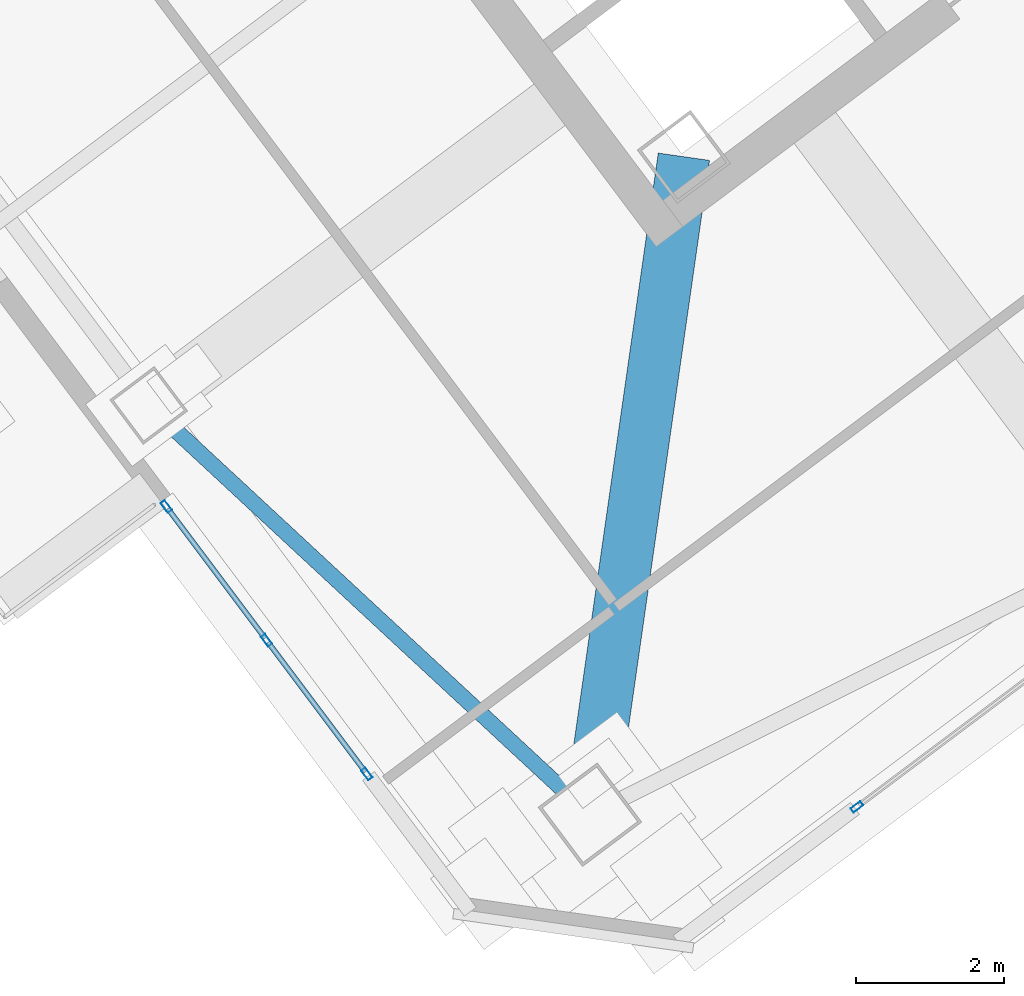
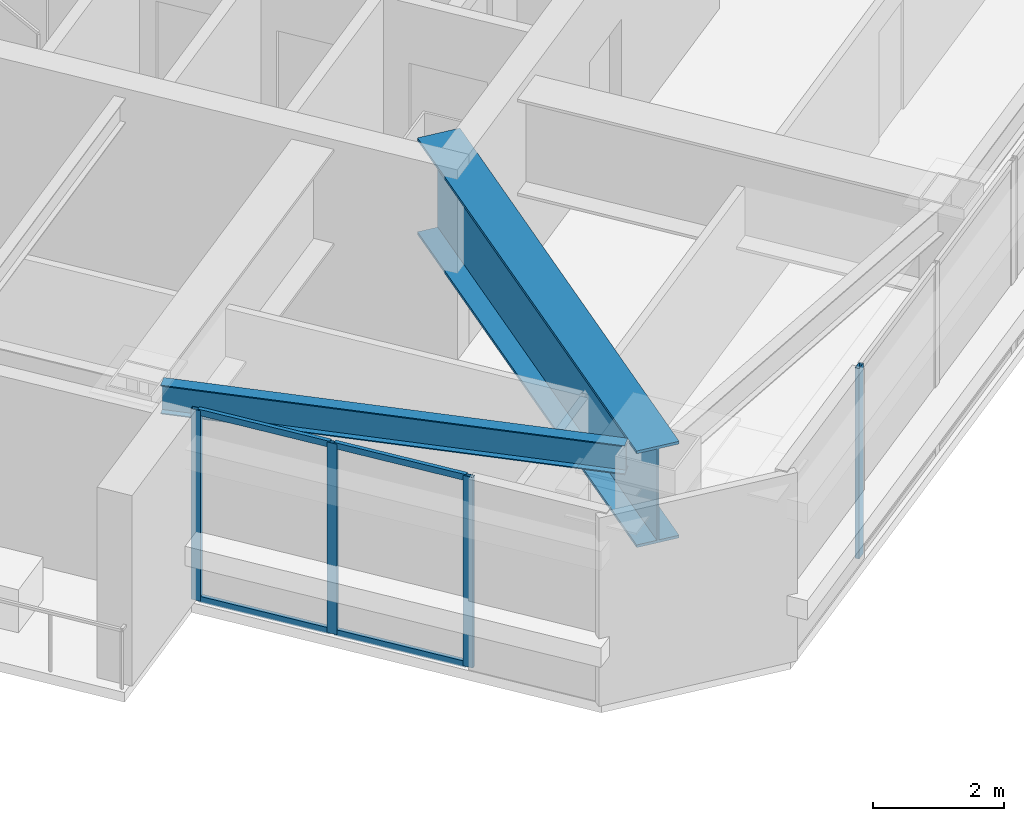
# One storey, part 17 of 40: 8 members, 2 beams, 2 elements without a shape of their own.
"""IFC4 building model written with IfcOpenShell, lengths in metres."""

import ifcopenshell
import ifcopenshell.guid

model = None  # the IFC model being written
_history = None  # IfcOwnerHistory: only IFC2X3 demands one
_inside = {}  # id of a spatial element -> (the spatial element, [elements in it])
_under = {}  # id of a project, library or spatial element -> (it, [spatial elements below it])
_declared = {}  # id of a project -> (the project, [libraries it declares])
_typed = {}  # id of a type object -> (the type object, [elements of that type])
_made_of = {}  # id of a material, layer set ... -> (it, [elements and type objects made of it])


def new_model(schema):
    """Start an empty IFC model of exactly this schema.

    Asked for "IFC4X3", IfcOpenShell would pick the latest addendum, in which some entities
    have other attributes; the version numbers below select the first issue.
    IFC2X3 requires an IfcOwnerHistory on every rooted entity: one is made here for all.
    """
    global model, _history
    if schema == "IFC4X3":
        model = ifcopenshell.file(schema_version=(4, 3, 0, 0))
    else:
        model = ifcopenshell.file(schema=schema)
    _inside.clear()
    _under.clear()
    _declared.clear()
    _typed.clear()
    _made_of.clear()
    _history = None
    if model.schema == "IFC2X3":
        org = make("IfcOrganization", Name="unknown")
        user = make(
            "IfcPersonAndOrganization",
            ThePerson=make("IfcPerson", FamilyName="unknown"),
            TheOrganization=org,
        )
        app = make(
            "IfcApplication",
            ApplicationDeveloper=org,
            Version="unknown",
            ApplicationFullName="unknown",
            ApplicationIdentifier="unknown",
        )
        _history = make(
            "IfcOwnerHistory",
            OwningUser=user,
            OwningApplication=app,
            ChangeAction="ADDED",
            CreationDate=0,
        )
    return model


def make(cls, **values):
    """One entity of the class cls with the attributes given. An attribute that is None is left unset."""
    return model.create_entity(
        cls, **{name: value for name, value in values.items() if value is not None}
    )


def rooted(cls, **values):
    """An entity with a GlobalId (a new one), such as an element, a storey or a relation."""
    return make(cls, GlobalId=ifcopenshell.guid.new(), OwnerHistory=_history, **values)


def si_unit(unit_type, name, prefix=None):
    """IfcSIUnit, for example si_unit("LENGTHUNIT", "METRE", prefix="MILLI")."""
    return make("IfcSIUnit", UnitType=unit_type, Prefix=prefix, Name=name)


def assignment(units):
    """IfcUnitAssignment: the units of a project."""
    return None if units is None else make("IfcUnitAssignment", Units=units)


def point(xyz):
    """IfcCartesianPoint."""
    return None if xyz is None else make("IfcCartesianPoint", Coordinates=xyz)


def direction(xyz):
    """IfcDirection."""
    return None if xyz is None else make("IfcDirection", DirectionRatios=xyz)


def frame(location, z_axis=None, x_axis=None):
    """IfcAxis2Placement3D, a coordinate frame: its origin and axes. An axis left out is left unset."""
    return make(
        "IfcAxis2Placement3D",
        Location=point(location),
        Axis=direction(z_axis),
        RefDirection=direction(x_axis),
    )


def frame_2d(location, x_axis=None):
    """IfcAxis2Placement2D, a coordinate frame in the plane: its origin and x axis."""
    return make(
        "IfcAxis2Placement2D", Location=point(location), RefDirection=direction(x_axis)
    )


def origin():
    """The frame at (0, 0, 0) with its axes left unset."""
    return frame((0.0, 0.0, 0.0))


def origin_2d():
    """The frame at (0, 0) in the plane with its x axis left unset."""
    return frame_2d((0.0, 0.0))


def place(relative_to, where):
    """IfcLocalPlacement: puts the frame where relative to a parent placement (None: the world)."""
    return make(
        "IfcLocalPlacement", PlacementRelTo=relative_to, RelativePlacement=where
    )


def context(
    kind, dimensions, precision=None, world=None, true_north=None, identifier=None
):
    """IfcGeometricRepresentationContext, for example the 3D "Model" context."""
    return make(
        "IfcGeometricRepresentationContext",
        ContextIdentifier=identifier,
        ContextType=kind,
        CoordinateSpaceDimension=dimensions,
        Precision=precision,
        WorldCoordinateSystem=world,
        TrueNorth=true_north,
    )


def subcontext(parent, identifier, kind, view, scale=None):
    """IfcGeometricRepresentationSubContext, for example "Body" below "Model"."""
    return make(
        "IfcGeometricRepresentationSubContext",
        ContextIdentifier=identifier,
        ContextType=kind,
        ParentContext=parent,
        TargetScale=scale,
        TargetView=view,
    )


def project(units=None, contexts=None):
    """IfcProject with its units and contexts."""
    return rooted(
        "IfcProject",
        Name="project",
        RepresentationContexts=contexts,
        UnitsInContext=assignment(units),
    )


def spatial(cls, under=None, at=None, **own):
    """A site, building, storey or space (cls), placed at a placement, below another one or the project."""
    s = rooted(cls, ObjectPlacement=at, **own)
    if under is not None:
        _under.setdefault(under.id(), (under, []))[1].append(s)
    return s


def profile(cls, at=None, kind="AREA", **sizes):
    """A parametric profile (cls). Its sizes go by their IFC names, for example OverallWidth=200.0."""
    return make(cls, ProfileType=kind, Position=at, **sizes)


def hollow_rectangle(**sizes):
    """IfcRectangleHollowProfileDef."""
    return profile("IfcRectangleHollowProfileDef", **sizes)


def i_section(**sizes):
    """IfcIShapeProfileDef."""
    return profile("IfcIShapeProfileDef", **sizes)


def extrude(swept, where, along, depth):
    """IfcExtrudedAreaSolid: the profile swept, set in the frame where, extruded along a direction by depth."""
    return make(
        "IfcExtrudedAreaSolid",
        SweptArea=swept,
        Position=where,
        ExtrudedDirection=direction(along),
        Depth=depth,
    )


def shape(context_of_items, identifier, shape_type, items):
    """IfcShapeRepresentation: the items that make up one representation, for example the "Body"."""
    return make(
        "IfcShapeRepresentation",
        ContextOfItems=context_of_items,
        RepresentationIdentifier=identifier,
        RepresentationType=shape_type,
        Items=items,
    )


def material(Name=None, Category=None):
    """IfcMaterial."""
    return make("IfcMaterial", Name=Name, Category=Category)


def material_profile(
    of_material, cross_section, Name=None, Category=None, Priority=None
):
    """IfcMaterialProfile: a cross section and its material."""
    return make(
        "IfcMaterialProfile",
        Name=Name,
        Material=of_material,
        Profile=cross_section,
        Priority=Priority,
        Category=Category,
    )


def profile_set(profiles, Name=None, composite=None):
    """IfcMaterialProfileSet."""
    return make(
        "IfcMaterialProfileSet",
        Name=Name,
        MaterialProfiles=profiles,
        CompositeProfile=composite,
    )


def made_of(thing, what):
    """Note that an element or type object is made of a material, layer set ...; save() writes the relation."""
    if what is not None:
        _made_of.setdefault(what.id(), (what, []))[1].append(thing)
    return thing


def type_object(cls, material=None, **own):
    """A type object (cls), such as IfcWallType, which elements share."""
    return made_of(rooted(cls, **own), material)


def element(
    cls,
    number,
    at=None,
    inside=None,
    cuts=None,
    type_object=None,
    material=None,
    context=None,
    identifier="Body",
    shape_type=None,
    held_by="IfcProductDefinitionShape",
    body=None,
    shapes=None,
    **own,
):
    """One element of the class cls, such as IfcWall. Its Tag is "e" and its number.

    at: its placement. inside: the storey or other place that contains it. cuts: it is an
    opening in that element (IfcRelVoidsElement). A single representation is given by context,
    identifier, shape_type and body (its items); several are given by shapes. held_by: the class
    of the entity that holds the representations. save() writes the other relations.
    """
    e = rooted(cls, Tag="e%d" % number, ObjectPlacement=at, **own)
    if body is not None:
        shapes = [shape(context, identifier, shape_type, body)]
    if shapes is not None:
        e.Representation = make(held_by, Representations=shapes)
    if inside is not None:
        _inside.setdefault(inside.id(), (inside, []))[1].append(e)
    if cuts is not None:
        rooted(
            "IfcRelVoidsElement", RelatingBuildingElement=cuts, RelatedOpeningElement=e
        )
    if type_object is not None:
        _typed.setdefault(type_object.id(), (type_object, []))[1].append(e)
    return made_of(e, material)


def aggregate(whole, parts):
    """IfcRelAggregates: a whole, such as a stair, and the parts it consists of."""
    return rooted("IfcRelAggregates", RelatingObject=whole, RelatedObjects=parts)


def save(model, path):
    """Write the relations noted so far, then the file.

    IfcRelAggregates (storeys below a building ...), IfcRelContainedInSpatialStructure (elements
    in a storey), IfcRelDefinesByType, IfcRelAssociatesMaterial and IfcRelDeclares: one each for
    every whole, place, type object, material and project.
    """
    for whole, parts in _under.values():
        aggregate(whole, parts)
    for where, things in _inside.values():
        rooted(
            "IfcRelContainedInSpatialStructure",
            RelatedElements=things,
            RelatingStructure=where,
        )
    for kind, things in _typed.values():
        rooted("IfcRelDefinesByType", RelatedObjects=things, RelatingType=kind)
    for what, things in _made_of.values():
        rooted("IfcRelAssociatesMaterial", RelatedObjects=things, RelatingMaterial=what)
    for by, libraries in _declared.values():
        rooted("IfcRelDeclares", RelatingContext=by, RelatedDefinitions=libraries)
    model.write(path)


model = new_model("IFC4")

# Units and contexts
model_context = context("Model", 3, precision=1e-05, world=origin(), true_north=direction((0.0, 1.0)))
body_context = subcontext(model_context, "Body", "Model", "MODEL_VIEW")
ifc_project = project(units=[si_unit("LENGTHUNIT", "METRE"), si_unit("AREAUNIT", "SQUARE_METRE"), si_unit("VOLUMEUNIT", "CUBIC_METRE"), si_unit("PLANEANGLEUNIT", "RADIAN"), si_unit("MASSUNIT", "GRAM", prefix="KILO")], contexts=[model_context])

# Site, building, storey
site_placement = place(None, origin())
site = spatial("IfcSite", under=ifc_project, at=site_placement, CompositionType="ELEMENT")
building_placement = place(site_placement, origin())
building = spatial("IfcBuilding", under=site, at=building_placement, Name="Tashvorn Skyway Center", CompositionType="ELEMENT")
storey_placement = place(building_placement, frame((0.0, 0.0, 229.050048828125)))
storey = spatial("IfcBuildingStorey", under=building, at=storey_placement, Name="L62", CompositionType="ELEMENT", Elevation=229.050048828125)

# Beams
ifc_material_1 = material(Name="Steel ASTM A572 Grade 50", Category="steel")
ifc_material_profile_1 = material_profile(ifc_material_1, i_section(OverallWidth=0.699951171875, OverallDepth=1.800048828125, WebThickness=0.031982421875, FlangeThickness=0.050048828125, at=origin_2d()), Name="PG1800x700")
ifc_profile_set_1 = profile_set([ifc_material_profile_1], Name="Steel ASTM A572 Grade 50")
beam_type_1 = type_object("IfcBeamType", Name="BM-BEAM-PG1800x700", PredefinedType="BEAM", material=ifc_profile_set_1)
beam_1_placement = place(storey_placement, frame((111.320068359375, 13.239990234375, 2.469970703125), z_axis=(0.141425162373, 0.98994894992, 0.0), x_axis=(-0.98994894992, 0.141425162373, 0.0)))
element("IfcBeam", 1, at=beam_1_placement, inside=storey, type_object=beam_type_1, Name="Tower 2 L62 Setback Transfer Girder MC-SW", PredefinedType="BEAM", context=body_context, shape_type="SweptSolid", body=[
    extrude(i_section(OverallWidth=0.699951171875, OverallDepth=1.800048828125, WebThickness=0.031982421875, FlangeThickness=0.050048828125, at=origin_2d()), origin(), (0.0, 0.0, 1.0), 8.980224609375),
])
ifc_material_2 = material(Name="Steel ASTM A992 Grade 50", Category="steel")
ifc_material_profile_2 = material_profile(ifc_material_2, i_section(OverallWidth=0.2109375, OverallDepth=0.5390625, WebThickness=0.01171875, FlangeThickness=0.018798828125, at=origin_2d()), Name="W21X73")
ifc_profile_set_2 = profile_set([ifc_material_profile_2], Name="Steel ASTM A992 Grade 50")
beam_type_2 = type_object("IfcBeamType", Name="BM-SPANDREL-W21X73", PredefinedType="SPANDREL", material=ifc_profile_set_2)
beam_2_placement = place(storey_placement, frame((105.63134765625, 18.518310546875, 3.100341796875), z_axis=(0.733042389989, -0.680182956622, 0.0), x_axis=(0.680182956622, 0.733042389989, 0.0)))
element("IfcBeam", 2, at=beam_2_placement, inside=storey, type_object=beam_type_2, Name="Tower 2 L62 Spandrel Beam 12", PredefinedType="SPANDREL", context=body_context, shape_type="SweptSolid", body=[
    extrude(i_section(OverallWidth=0.2109375, OverallDepth=0.5390625, WebThickness=0.01171875, FlangeThickness=0.018798828125, at=origin_2d()), origin(), (0.0, 0.0, 1.0), 7.26513671875),
])

# Curtain wall, member
ifc_material_3 = material(Name="Thermally broken bronze-anodized aluminium 6063-T6", Category="aluminium")
curtain_wall_type = type_object("IfcCurtainWallType", Name="CW-CW-Z5", PredefinedType="NOTDEFINED", material=ifc_material_3)
curtain_wall_1_placement = place(storey_placement, origin())
curtain_wall_1 = element("IfcCurtainWall", 3, at=curtain_wall_1_placement, inside=storey, type_object=curtain_wall_type, Name="Tower 2 L62 South Unitised Curtain Wall Glazing Group 3", PredefinedType="NOTDEFINED")
ifc_material_profile_3 = material_profile(ifc_material_3, hollow_rectangle(XDim=0.070068359375, YDim=0.1650390625, WallThickness=0.00390625, at=origin_2d()), Name="ALU-MULL-70x165")
ifc_profile_set_3 = profile_set([ifc_material_profile_3], Name="Thermally broken bronze-anodized aluminium 6063-T6")
member_type_1 = type_object("IfcMemberType", Name="CWM-CW-Z5", PredefinedType="MULLION", material=ifc_profile_set_3)
member_1_placement = place(storey_placement, frame((114.928466796875, 13.34619140625, 0.0), z_axis=(0.0, 0.0, 1.0), x_axis=(0.600002670604, -0.79999799704, 0.0)))
member_1 = element("IfcMember", 4, at=member_1_placement, type_object=member_type_1, Name="CW-Z5 mullion 3", PredefinedType="MULLION", context=body_context, shape_type="SweptSolid", body=[
    extrude(hollow_rectangle(XDim=0.070068359375, YDim=0.1650390625, WallThickness=0.00390625, at=origin_2d()), origin(), (0.0, 0.0, 1.0), 3.550048828125),
])
aggregate(curtain_wall_1, [member_1])

# Curtain wall, members
curtain_wall_2_placement = place(storey_placement, origin())
curtain_wall_2 = element("IfcCurtainWall", 5, at=curtain_wall_2_placement, inside=storey, type_object=curtain_wall_type, Name="Tower 2 L62 West Curtain Wall L Glazing Group 1", PredefinedType="NOTDEFINED")
member_2_placement = place(storey_placement, frame((108.306884765625, 13.790771484375, 0.0), z_axis=(0.0, 0.0, 1.0), x_axis=(-0.799997383693, -0.600003488393, 0.0)))
member_2 = element("IfcMember", 6, at=member_2_placement, type_object=member_type_1, Name="CW-Z5 mullion 1", PredefinedType="MULLION", context=body_context, shape_type="SweptSolid", body=[
    extrude(hollow_rectangle(XDim=0.070068359375, YDim=0.1650390625, WallThickness=0.00390625, at=origin_2d()), origin(), (0.0, 0.0, 1.0), 3.550048828125),
])
member_3_placement = place(storey_placement, frame((106.951904296875, 15.597412109375, 0.0), z_axis=(0.0, 0.0, 1.0), x_axis=(-0.799997383693, -0.600003488393, 0.0)))
member_3 = element("IfcMember", 7, at=member_3_placement, type_object=member_type_1, Name="CW-Z5 mullion 2", PredefinedType="MULLION", context=body_context, shape_type="SweptSolid", body=[
    extrude(hollow_rectangle(XDim=0.070068359375, YDim=0.1650390625, WallThickness=0.00390625, at=origin_2d()), origin(), (0.0, 0.0, 1.0), 3.550048828125),
])
member_4_placement = place(storey_placement, frame((105.596923828125, 17.404052734375, 0.0), z_axis=(0.0, 0.0, 1.0), x_axis=(-0.799997383693, -0.600003488393, 0.0)))
member_4 = element("IfcMember", 8, at=member_4_placement, type_object=member_type_1, Name="CW-Z5 mullion 3", PredefinedType="MULLION", context=body_context, shape_type="SweptSolid", body=[
    extrude(hollow_rectangle(XDim=0.070068359375, YDim=0.1650390625, WallThickness=0.00390625, at=origin_2d()), origin(), (0.0, 0.0, 1.0), 3.550048828125),
])
ifc_material_profile_4 = material_profile(ifc_material_3, hollow_rectangle(XDim=0.070068359375, YDim=0.114990234375, WallThickness=0.00390625, at=origin_2d()), Name="ALU-TRAN-70x115")
ifc_profile_set_4 = profile_set([ifc_material_profile_4], Name="Thermally broken bronze-anodized aluminium 6063-T6")
member_type_2 = type_object("IfcMemberType", Name="CWT-CW-Z5", PredefinedType="USERDEFINED", material=ifc_profile_set_4)
member_5_placement = place(storey_placement, frame((108.285888671875, 13.818603515625, 0.034912109375), z_axis=(-0.59998214988, 0.800013387279, 0.0), x_axis=(-0.800013387279, -0.59998214988, 0.0)))
member_5 = element("IfcMember", 9, at=member_5_placement, type_object=member_type_2, Name="CW-Z5 transom 1.1", ObjectType="TRANSOM", PredefinedType="USERDEFINED", context=body_context, shape_type="SweptSolid", body=[
    extrude(hollow_rectangle(XDim=0.070068359375, YDim=0.114990234375, WallThickness=0.00390625, at=origin_2d()), origin(), (0.0, 0.0, 1.0), 2.1884765625),
])
member_6_placement = place(storey_placement, frame((108.285888671875, 13.818603515625, 3.514892578125), z_axis=(-0.59998214988, 0.800013387279, 0.0), x_axis=(-0.800013387279, -0.59998214988, 0.0)))
member_6 = element("IfcMember", 10, at=member_6_placement, type_object=member_type_2, Name="CW-Z5 transom 1.2", ObjectType="TRANSOM", PredefinedType="USERDEFINED", context=body_context, shape_type="SweptSolid", body=[
    extrude(hollow_rectangle(XDim=0.070068359375, YDim=0.114990234375, WallThickness=0.00390625, at=origin_2d()), origin(), (0.0, 0.0, 1.0), 2.1884765625),
])
member_7_placement = place(storey_placement, frame((106.930908203125, 15.625244140625, 0.034912109375), z_axis=(-0.59998214988, 0.800013387279, 0.0), x_axis=(-0.800013387279, -0.59998214988, 0.0)))
member_7 = element("IfcMember", 11, at=member_7_placement, type_object=member_type_2, Name="CW-Z5 transom 2.1", ObjectType="TRANSOM", PredefinedType="USERDEFINED", context=body_context, shape_type="SweptSolid", body=[
    extrude(hollow_rectangle(XDim=0.070068359375, YDim=0.114990234375, WallThickness=0.00390625, at=origin_2d()), origin(), (0.0, 0.0, 1.0), 2.1884765625),
])
member_8_placement = place(storey_placement, frame((106.930908203125, 15.625244140625, 3.514892578125), z_axis=(-0.59998214988, 0.800013387279, 0.0), x_axis=(-0.800013387279, -0.59998214988, 0.0)))
member_8 = element("IfcMember", 12, at=member_8_placement, type_object=member_type_2, Name="CW-Z5 transom 2.2", ObjectType="TRANSOM", PredefinedType="USERDEFINED", context=body_context, shape_type="SweptSolid", body=[
    extrude(hollow_rectangle(XDim=0.070068359375, YDim=0.114990234375, WallThickness=0.00390625, at=origin_2d()), origin(), (0.0, 0.0, 1.0), 2.1884765625),
])
aggregate(curtain_wall_2, [member_2, member_3, member_4, member_5, member_6, member_7, member_8])

save(model, "model.ifc")
